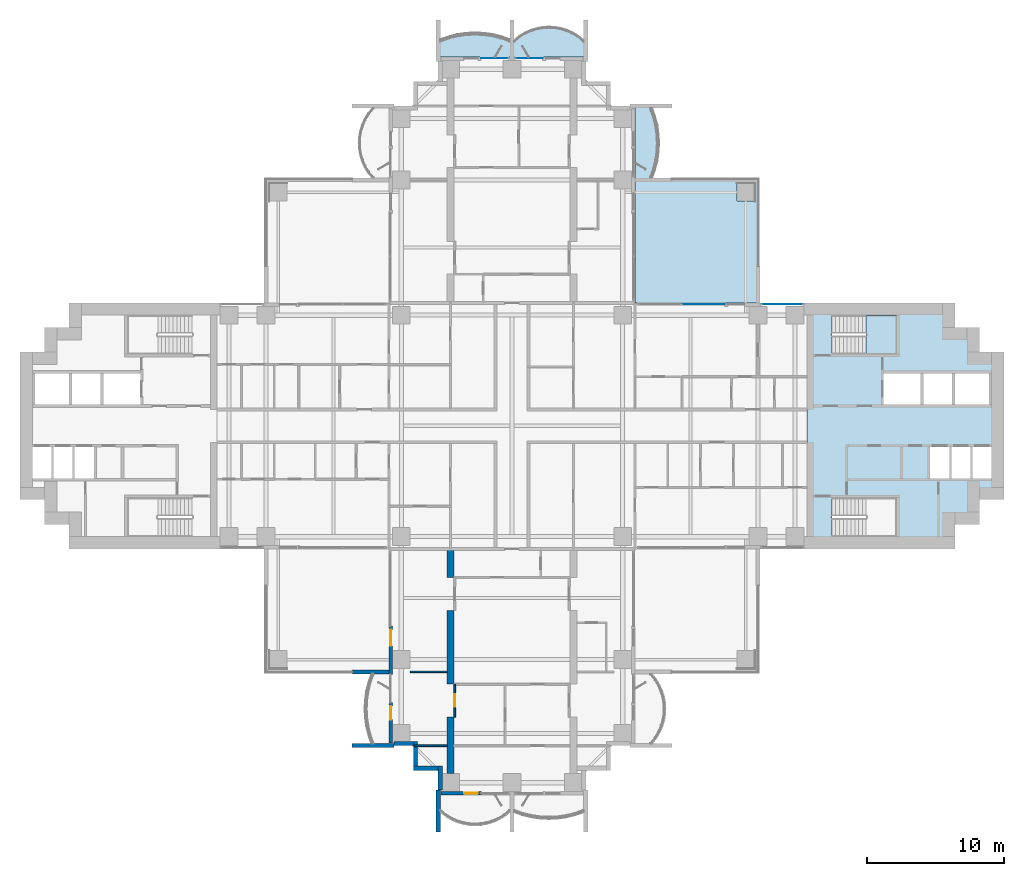
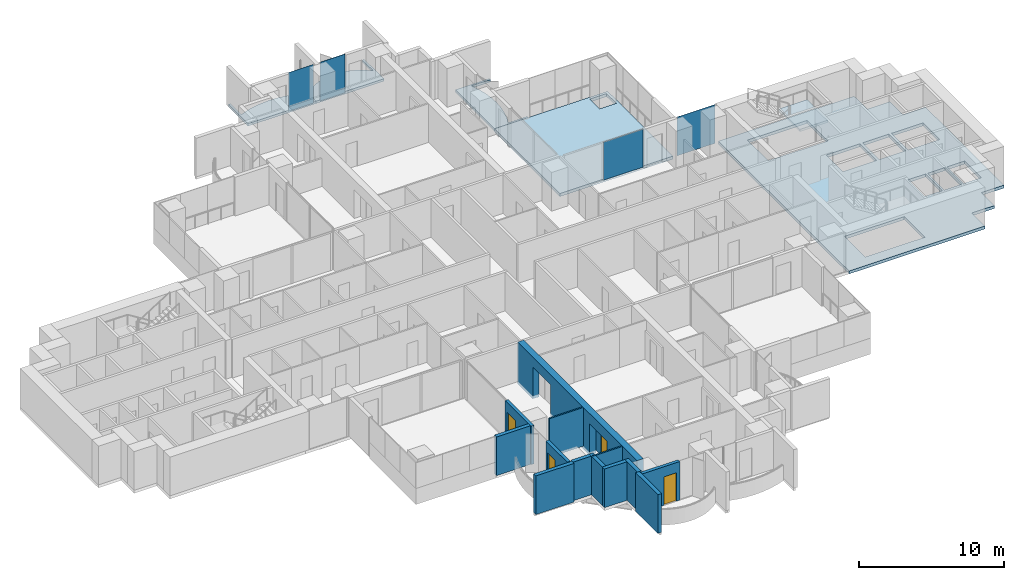
# One storey, part 9 of 20: 14 walls, 6 slabs, 4 doors, 4 plates, 4 openings, 5 elements without a shape of their own.
"""IFC4 building model written with IfcOpenShell, lengths in metres."""

from ifc_helpers import new_model, si_unit, direction, frame, frame_2d, origin, origin_2d, place, context, subcontext, project, spatial, polyline, rectangle, outline, extrude, material, layer, layer_set, material_profile, profile_set, type_object, element, fill, aggregate, save


model = new_model("IFC4")

# Units and contexts
model_context = context("Model", 3, precision=1e-05, world=origin(), true_north=direction((0.0, 1.0)))
body_context = subcontext(model_context, "Body", "Model", "MODEL_VIEW")
ifc_project = project(units=[si_unit("LENGTHUNIT", "METRE"), si_unit("AREAUNIT", "SQUARE_METRE"), si_unit("VOLUMEUNIT", "CUBIC_METRE"), si_unit("PLANEANGLEUNIT", "RADIAN"), si_unit("MASSUNIT", "GRAM", prefix="KILO")], contexts=[model_context])

# Site, building, storey
site_placement = place(None, origin())
site = spatial("IfcSite", under=ifc_project, at=site_placement, CompositionType="ELEMENT")
building_placement = place(site_placement, origin())
building = spatial("IfcBuilding", under=site, at=building_placement, Name="Perihelion Cross Residences", CompositionType="ELEMENT")
storey_placement = place(building_placement, frame((0.0, 0.0, 68.0)))
storey = spatial("IfcBuildingStorey", under=building, at=storey_placement, Name="L14", CompositionType="ELEMENT", Elevation=68.0)

# Slabs
ifc_material_1 = material(Name="Concrete C40/50", Category="concrete")
ifc_layer_1 = layer(ifc_material_1, 0.199951171875)
ifc_layer_set_1 = layer_set([ifc_layer_1], Name="Balcony slab 200")
slab_type_1 = type_object("IfcSlabType", Name="Balcony slab 200", PredefinedType="FLOOR", material=ifc_layer_set_1)
slab_1_placement = place(storey_placement, frame((0.0, 0.0, -0.199951171875)))
element("IfcSlab", 1, at=slab_1_placement, inside=storey, type_object=slab_type_1, Name="Slab BK1 L14 north side east bay 2 balcony", PredefinedType="FLOOR", context=body_context, shape_type="SweptSolid", body=[
    extrude(outline(polyline([(9.0, 18.0), (9.0, 23.39990234375), (11.699951171875, 23.39990234375), (11.699951171875, 23.25), (10.199951171875, 23.25), (10.423583984375, 22.612548828125), (10.57861328125, 21.97509765625), (10.669921875, 21.33740234375), (10.699951171875, 20.699951171875), (10.669921875, 20.0625), (10.57861328125, 19.425048828125), (10.423583984375, 18.78759765625), (10.199951171875, 18.14990234375), (11.699951171875, 18.14990234375), (11.699951171875, 18.0), (9.0, 18.0)])), origin(), (0.0, 0.0, 1.0), 0.199951171875),
])
slab_2_placement = place(storey_placement, frame((0.0, 0.0, -0.199951171875)))
element("IfcSlab", 2, at=slab_2_placement, inside=storey, type_object=slab_type_1, Name="Slab BK1 L14 north tip north bay 1 balcony", PredefinedType="FLOOR", context=body_context, shape_type="SweptSolid", body=[
    extrude(outline(polyline([(5.39990234375, 27.0), (0.0, 27.0), (0.0, 29.699951171875), (0.14990234375, 29.699951171875), (0.14990234375, 28.199951171875), (0.574951171875, 28.5400390625), (1.0, 28.792724609375), (1.425048828125, 28.9765625), (1.85009765625, 29.1025390625), (2.27490234375, 29.17578125), (2.699951171875, 29.199951171875), (3.125, 29.17578125), (3.550048828125, 29.1025390625), (3.97509765625, 28.9765625), (4.39990234375, 28.792724609375), (4.824951171875, 28.5400390625), (5.25, 28.199951171875), (5.25, 29.699951171875), (5.39990234375, 29.699951171875), (5.39990234375, 27.0)])), origin(), (0.0, 0.0, 1.0), 0.199951171875),
])
slab_3_placement = place(storey_placement, frame((0.0, 0.0, -0.199951171875)))
element("IfcSlab", 3, at=slab_3_placement, inside=storey, type_object=slab_type_1, Name="Slab BK1 L14 north tip north bay 2 balcony", PredefinedType="FLOOR", context=body_context, shape_type="SweptSolid", body=[
    extrude(outline(polyline([(0.0, 27.0), (-5.39990234375, 27.0), (-5.39990234375, 29.699951171875), (-5.25, 29.699951171875), (-5.25, 28.199951171875), (-4.612548828125, 28.423583984375), (-3.97509765625, 28.57861328125), (-3.33740234375, 28.669921875), (-2.699951171875, 28.699951171875), (-2.0625, 28.669921875), (-1.425048828125, 28.57861328125), (-0.78759765625, 28.423583984375), (-0.14990234375, 28.199951171875), (-0.14990234375, 29.699951171875), (0.0, 29.699951171875), (0.0, 27.0)])), origin(), (0.0, 0.0, 1.0), 0.199951171875),
])

# Curtain wall, plate
ifc_material_2 = material(Name="Bronze anodised aluminium, tinted glazing", Category="aluminium")
curtain_wall_type = type_object("IfcCurtainWallType", Name="CW1", PredefinedType="NOTDEFINED", material=ifc_material_2)
curtain_wall_1_placement = place(storey_placement, origin())
curtain_wall_1 = element("IfcCurtainWall", 4, at=curtain_wall_1_placement, inside=storey, type_object=curtain_wall_type, Name="Curtain wall CW1 L14 east side north bay 1", PredefinedType="NOTDEFINED")
ifc_material_3 = material(Name="Tinted laminated glass", Category="glass")
ifc_layer_2 = layer(ifc_material_3, 0.028076171875)
ifc_layer_set_2 = layer_set([ifc_layer_2], Name="CW1 panel")
plate_type = type_object("IfcPlateType", Name="CW1 panel", PredefinedType="CURTAIN_PANEL", material=ifc_layer_set_2)
plate_1_placement = place(storey_placement, frame((19.77490234375, 8.89990234375, 0.0), z_axis=(0.0, 0.0, 1.0), x_axis=(-1.0, 0.0, 0.0)))
plate_1 = element("IfcPlate", 5, at=plate_1_placement, type_object=plate_type, Name="CW1 panel 1", PredefinedType="CURTAIN_PANEL", context=body_context, shape_type="SweptSolid", body=[
    extrude(rectangle(XDim=3.030029296875, YDim=0.028076171875, at=origin_2d()), origin(), (0.0, 0.0, 1.0), 3.25),
])
aggregate(curtain_wall_1, [plate_1])

curtain_wall_2_placement = place(storey_placement, origin())
curtain_wall_2 = element("IfcCurtainWall", 6, at=curtain_wall_2_placement, inside=storey, type_object=curtain_wall_type, Name="Curtain wall CW1 L14 east side north bay 2", PredefinedType="NOTDEFINED")
plate_2_placement = place(storey_placement, frame((13.9775390625, 8.89990234375, 0.0), z_axis=(0.0, 0.0, 1.0), x_axis=(-1.0, 0.0, 0.0)))
plate_2 = element("IfcPlate", 7, at=plate_2_placement, type_object=plate_type, Name="CW1 panel 1", PredefinedType="CURTAIN_PANEL", context=body_context, shape_type="SweptSolid", body=[
    extrude(rectangle(XDim=3.14501953125, YDim=0.028076171875, at=origin_2d()), origin(), (0.0, 0.0, 1.0), 3.18994140625),
])
aggregate(curtain_wall_2, [plate_2])

curtain_wall_3_placement = place(storey_placement, origin())
curtain_wall_3 = element("IfcCurtainWall", 8, at=curtain_wall_3_placement, inside=storey, type_object=curtain_wall_type, Name="Curtain wall CW1 L14 north tip north bay 1", PredefinedType="NOTDEFINED")
plate_3_placement = place(storey_placement, frame((1.2548828125, 26.89990234375, 0.0), z_axis=(0.0, 0.0, 1.0), x_axis=(-1.0, 0.0, 0.0)))
plate_3 = element("IfcPlate", 9, at=plate_3_placement, type_object=plate_type, Name="CW1 panel 1", PredefinedType="CURTAIN_PANEL", context=body_context, shape_type="SweptSolid", body=[
    extrude(rectangle(XDim=1.989990234375, YDim=0.028076171875, at=origin_2d()), origin(), (0.0, 0.0, 1.0), 3.25),
])
aggregate(curtain_wall_3, [plate_3])

curtain_wall_4_placement = place(storey_placement, origin())
curtain_wall_4 = element("IfcCurtainWall", 10, at=curtain_wall_4_placement, inside=storey, type_object=curtain_wall_type, Name="Curtain wall CW1 L14 north tip north bay 2", PredefinedType="NOTDEFINED")
plate_4_placement = place(storey_placement, frame((-1.2548828125, 26.89990234375, 0.0), z_axis=(0.0, 0.0, 1.0), x_axis=(-1.0, 0.0, 0.0)))
plate_4 = element("IfcPlate", 11, at=plate_4_placement, type_object=plate_type, Name="CW1 panel 1", PredefinedType="CURTAIN_PANEL", context=body_context, shape_type="SweptSolid", body=[
    extrude(rectangle(XDim=1.989990234375, YDim=0.028076171875, at=origin_2d()), origin(), (0.0, 0.0, 1.0), 3.25),
])
aggregate(curtain_wall_4, [plate_4])

# Slabs
ifc_material_4 = material(Name="Concrete C40/50", Category="concrete")
ifc_layer_3 = layer(ifc_material_4, 0.25)
ifc_layer_set_3 = layer_set([ifc_layer_3], Name="Core floor slab 250")
slab_type_2 = type_object("IfcSlabType", Name="Core floor slab 250", PredefinedType="FLOOR", material=ifc_layer_set_3)
slab_4_placement = place(storey_placement, frame((0.0, 0.0, -0.25)))
element("IfcSlab", 12, at=slab_4_placement, inside=storey, type_object=slab_type_2, Name="East core floor slab", PredefinedType="FLOOR", context=body_context, shape_type="SweptSolid", body=[
    extrude(outline(polyline([(32.39990234375, 7.199951171875), (34.199951171875, 7.199951171875), (34.199951171875, 5.39990234375), (36.0, 5.39990234375), (36.0, -5.39990234375), (34.199951171875, -5.39990234375), (34.199951171875, -7.199951171875), (32.39990234375, -7.199951171875), (32.39990234375, -9.0), (21.60009765625, -9.0), (21.60009765625, 9.0), (32.39990234375, 9.0), (32.39990234375, 7.199951171875)]), holes=[polyline([(23.405029296875, -8.10009765625), (28.14990234375, -8.10009765625), (28.14990234375, -5.25), (23.405029296875, -5.25), (23.405029296875, -8.10009765625)]), polyline([(30.60009765625, -1.550048828125), (30.60009765625, -3.85009765625), (32.0, -3.85009765625), (32.0, -1.550048828125), (30.60009765625, -1.550048828125)]), polyline([(32.14990234375, -1.550048828125), (32.14990234375, -3.85009765625), (33.550048828125, -3.85009765625), (33.550048828125, -1.550048828125), (32.14990234375, -1.550048828125)]), polyline([(33.699951171875, -1.550048828125), (33.699951171875, -3.85009765625), (35.10009765625, -3.85009765625), (35.10009765625, -1.550048828125), (33.699951171875, -1.550048828125)]), polyline([(27.199951171875, 3.85009765625), (27.199951171875, 1.550048828125), (29.89990234375, 1.550048828125), (29.89990234375, 3.85009765625), (27.199951171875, 3.85009765625)]), polyline([(30.10009765625, 3.85009765625), (30.10009765625, 1.550048828125), (32.199951171875, 1.550048828125), (32.199951171875, 3.85009765625), (30.10009765625, 3.85009765625)]), polyline([(32.39990234375, 3.85009765625), (32.39990234375, 1.550048828125), (34.89990234375, 1.550048828125), (34.89990234375, 3.85009765625), (32.39990234375, 3.85009765625)]), polyline([(23.405029296875, 5.25), (28.14990234375, 5.25), (28.14990234375, 8.10009765625), (23.405029296875, 8.10009765625), (23.405029296875, 5.25)])]), origin(), (0.0, 0.0, 1.0), 0.25),
])
ifc_material_5 = material(Name="Concrete C40/50", Category="concrete")
ifc_layer_4 = layer(ifc_material_5, 0.25)
ifc_layer_set_4 = layer_set([ifc_layer_4], Name="Corner terrace slab")
slab_type_3 = type_object("IfcSlabType", Name="Corner terrace slab", PredefinedType="FLOOR", material=ifc_layer_set_4)
slab_5_placement = place(storey_placement, frame((0.0, 0.0, -0.25)))
element("IfcSlab", 13, at=slab_5_placement, inside=storey, type_object=slab_type_3, Name="Slab BK2 L14 pocket north-east", PredefinedType="FLOOR", context=body_context, shape_type="SweptSolid", body=[
    extrude(outline(polyline([(18.0, 9.0), (18.0, 18.0), (9.0, 18.0), (9.0, 9.0), (18.0, 9.0)]), holes=[polyline([(16.449951171875, 16.449951171875), (16.449951171875, 17.7900390625), (17.7900390625, 17.7900390625), (17.7900390625, 16.409912109375), (17.75, 16.409912109375), (17.75, 16.449951171875), (16.449951171875, 16.449951171875)])]), origin(), (0.0, 0.0, 1.0), 0.25),
])

# Stair, slab
ifc_material_6 = material(Name="Concrete C40/50", Category="concrete")
stair_type = type_object("IfcStairType", Name="Exit stair, half-turn", PredefinedType="HALF_TURN_STAIR", material=ifc_material_6)
stair_placement = place(storey_placement, origin())
stair = element("IfcStair", 14, at=stair_placement, inside=storey, type_object=stair_type, Name="L14 East core exit stair 1", PredefinedType="HALF_TURN_STAIR")
ifc_material_7 = material(Name="Concrete C40/50", Category="concrete")
ifc_layer_5 = layer(ifc_material_7, 0.199951171875)
ifc_layer_set_5 = layer_set([ifc_layer_5], Name="Exit stair landing 200")
slab_type_4 = type_object("IfcSlabType", Name="Exit stair landing 200", PredefinedType="LANDING", material=ifc_layer_set_5)
slab_6_placement = place(storey_placement, frame((0.0, 0.0, 1.550048828125)))
slab_6 = element("IfcSlab", 15, at=slab_6_placement, type_object=slab_type_4, Name="ST-E1 landing 1", PredefinedType="LANDING", context=body_context, shape_type="SweptSolid", body=[
    extrude(outline(polyline([(25.919921875, 5.25), (28.14990234375, 5.25), (28.14990234375, 8.10009765625), (25.919921875, 8.10009765625), (25.919921875, 5.25)])), origin(), (0.0, 0.0, 1.0), 0.199951171875),
])
aggregate(stair, [slab_6])

# Wall, opening, door
ifc_material_8 = material(Name="Concrete C30/37, bronze-clad", Category="concrete")
ifc_layer_6 = layer(ifc_material_8, 0.25)
ifc_layer_set_6 = layer_set([ifc_layer_6], Name="Bronze-clad pier wall 250")
wall_type_1 = type_object("IfcWallType", Name="Bronze-clad pier wall 250", PredefinedType="SOLIDWALL", material=ifc_layer_set_6)
wall_1_placement = place(storey_placement, frame((-8.875, -14.64990234375, 0.0), z_axis=(0.0, 0.0, 1.0), x_axis=(0.0, -1.0, 0.0)))
wall_1 = element("IfcWall", 16, at=wall_1_placement, inside=storey, type_object=wall_type_1, Name="Wall FW1 L14 south side west bay 1 pier", PredefinedType="SOLIDWALL", context=body_context, shape_type="SweptSolid", body=[
    extrude(rectangle(XDim=3.550048828125, YDim=0.25, at=frame_2d((1.77490234375, 0.0))), origin(), (0.0, 0.0, 1.0), 3.25),
])
opening_1_placement = place(wall_1_placement, frame((0.25, 0.0, 0.0)))
opening_1 = element("IfcOpeningElement", 17, at=opening_1_placement, cuts=wall_1, Name="Opening L14.E10", PredefinedType="OPENING", context=body_context, shape_type="SweptSolid", body=[
    extrude(rectangle(XDim=1.199951171875, YDim=2.39990234375, at=frame_2d((0.60009765625, 1.199951171875))), frame((0.0, 0.135009765625, 0.0), z_axis=(0.0, -1.0, 0.0), x_axis=(1.0, 0.0, 0.0)), (0.0, 0.0, 1.0), 0.27001953125),
])
ifc_material_9 = material(Name="Bronze anodised aluminium, glazed", Category="aluminium")
door_type_1 = type_object("IfcDoorType", Name="Balcony door 1200 x 2400", OperationType="NOTDEFINED", PredefinedType="DOOR", material=ifc_material_9)
door_1_placement = place(opening_1_placement, origin())
door_1 = element("IfcDoor", 18, at=door_1_placement, inside=storey, type_object=door_type_1, Name="Door L14.E10 south side west bay 1", OperationType="SINGLE_SWING_LEFT", OverallHeight=2.39990234375, OverallWidth=1.199951171875, PredefinedType="DOOR", context=body_context, shape_type="SweptSolid", body=[
    extrude(rectangle(XDim=1.199951171875, YDim=2.39990234375, at=frame_2d((0.60009765625, 1.199951171875))), frame((0.0, 0.02490234375, 0.0), z_axis=(0.0, -1.0, 0.0), x_axis=(1.0, 0.0, 0.0)), (0.0, 0.0, 1.0), 0.050048828125),
])
fill(opening_1, door_1)

wall_2_placement = place(storey_placement, frame((-8.875, -20.25, 0.0), z_axis=(0.0, 0.0, 1.0), x_axis=(0.0, -1.0, 0.0)))
wall_2 = element("IfcWall", 19, at=wall_2_placement, inside=storey, type_object=wall_type_1, Name="Wall FW1 L14 south side west bay 2 pier", PredefinedType="SOLIDWALL", context=body_context, shape_type="SweptSolid", body=[
    extrude(rectangle(XDim=2.949951171875, YDim=0.25, at=frame_2d((1.47509765625, 0.0))), origin(), (0.0, 0.0, 1.0), 3.25),
])
opening_2_placement = place(wall_2_placement, frame((0.25, 0.0, 0.0)))
opening_2 = element("IfcOpeningElement", 20, at=opening_2_placement, cuts=wall_2, Name="Opening L14.E11", PredefinedType="OPENING", context=body_context, shape_type="SweptSolid", body=[
    extrude(rectangle(XDim=1.0, YDim=2.39990234375, at=frame_2d((0.5, 1.199951171875))), frame((0.0, 0.135009765625, 0.0), z_axis=(0.0, -1.0, 0.0), x_axis=(1.0, 0.0, 0.0)), (0.0, 0.0, 1.0), 0.27001953125),
])
ifc_material_10 = material(Name="Bronze anodised aluminium, glazed", Category="aluminium")
door_type_2 = type_object("IfcDoorType", Name="Balcony door 1000 x 2400", OperationType="NOTDEFINED", PredefinedType="DOOR", material=ifc_material_10)
door_2_placement = place(opening_2_placement, origin())
door_2 = element("IfcDoor", 21, at=door_2_placement, inside=storey, type_object=door_type_2, Name="Door L14.E11 south side west bay 2", OperationType="SINGLE_SWING_RIGHT", OverallHeight=2.39990234375, OverallWidth=1.0, PredefinedType="DOOR", context=body_context, shape_type="SweptSolid", body=[
    extrude(rectangle(XDim=1.0, YDim=2.39990234375, at=frame_2d((0.5, 1.199951171875))), frame((0.0, 0.02490234375, 0.0), z_axis=(0.0, -1.0, 0.0), x_axis=(1.0, 0.0, 0.0)), (0.0, 0.0, 1.0), 0.050048828125),
])
fill(opening_2, door_2)

wall_3_placement = place(storey_placement, frame((-5.199951171875, -26.875, 0.0), z_axis=(0.0, 0.0, 1.0), x_axis=(1.0, 0.0, 0.0)))
wall_3 = element("IfcWall", 22, at=wall_3_placement, inside=storey, type_object=wall_type_1, Name="Wall FW1 L14 south tip south bay 1 pier", PredefinedType="SOLIDWALL", context=body_context, shape_type="SweptSolid", body=[
    extrude(rectangle(XDim=2.949951171875, YDim=0.25, at=frame_2d((1.47509765625, 0.0))), origin(), (0.0, 0.0, 1.0), 3.25),
])
opening_3_placement = place(wall_3_placement, frame((1.699951171875, 0.0, 0.0)))
opening_3 = element("IfcOpeningElement", 23, at=opening_3_placement, cuts=wall_3, Name="Opening L14.E12", PredefinedType="OPENING", context=body_context, shape_type="SweptSolid", body=[
    extrude(rectangle(XDim=1.0, YDim=2.39990234375, at=frame_2d((0.5, 1.199951171875))), frame((0.0, 0.135009765625, 0.0), z_axis=(0.0, -1.0, 0.0), x_axis=(1.0, 0.0, 0.0)), (0.0, 0.0, 1.0), 0.27001953125),
])
door_3_placement = place(opening_3_placement, origin())
door_3 = element("IfcDoor", 24, at=door_3_placement, inside=storey, type_object=door_type_2, Name="Door L14.E12 south tip south bay 1", OperationType="SINGLE_SWING_LEFT", OverallHeight=2.39990234375, OverallWidth=1.0, PredefinedType="DOOR", context=body_context, shape_type="SweptSolid", body=[
    extrude(rectangle(XDim=1.0, YDim=2.39990234375, at=frame_2d((0.5, 1.199951171875))), frame((0.0, 0.02490234375, 0.0), z_axis=(0.0, -1.0, 0.0), x_axis=(1.0, 0.0, 0.0)), (0.0, 0.0, 1.0), 0.050048828125),
])
fill(opening_3, door_3)

# Walls
ifc_material_11 = material(Name="Concrete C30/37, bronze-clad", Category="concrete")
ifc_layer_7 = layer(ifc_material_11, 0.300048828125)
ifc_layer_set_7 = layer_set([ifc_layer_7], Name="Bronze-clad serration wall 300")
wall_type_2 = type_object("IfcWallType", Name="Bronze-clad serration wall 300", PredefinedType="SOLIDWALL", material=ifc_layer_set_7)
wall_4_placement = place(storey_placement, frame((-8.64990234375, -23.25, 0.0), z_axis=(0.0, 0.0, 1.0), x_axis=(1.0, 0.0, 0.0)))
element("IfcWall", 25, at=wall_4_placement, inside=storey, type_object=wall_type_2, Name="Wall SR1 L14 south corner south-west 1", PredefinedType="SOLIDWALL", context=body_context, shape_type="SweptSolid", body=[
    extrude(rectangle(XDim=1.449951171875, YDim=0.300048828125, at=frame_2d((0.72509765625, 0.0))), origin(), (0.0, 0.0, 1.0), 3.25),
])
wall_5_placement = place(storey_placement, frame((-7.050048828125, -23.10009765625, 0.0), z_axis=(0.0, 0.0, 1.0), x_axis=(0.0, -1.0, 0.0)))
element("IfcWall", 26, at=wall_5_placement, inside=storey, type_object=wall_type_2, Name="Wall SR1 L14 south corner south-west 2", PredefinedType="SOLIDWALL", context=body_context, shape_type="SweptSolid", body=[
    extrude(rectangle(XDim=1.7998046875, YDim=0.300048828125, at=frame_2d((0.89990234375, 0.0))), origin(), (0.0, 0.0, 1.0), 3.25),
])
wall_6_placement = place(storey_placement, frame((-7.199951171875, -25.050048828125, 0.0), z_axis=(0.0, 0.0, 1.0), x_axis=(1.0, 0.0, 0.0)))
element("IfcWall", 27, at=wall_6_placement, inside=storey, type_object=wall_type_2, Name="Wall SR1 L14 south corner south-west 3", PredefinedType="SOLIDWALL", context=body_context, shape_type="SweptSolid", body=[
    extrude(rectangle(XDim=1.800048828125, YDim=0.300048828125, at=frame_2d((0.89990234375, 0.0))), origin(), (0.0, 0.0, 1.0), 3.25),
])
wall_7_placement = place(storey_placement, frame((-5.25, -24.89990234375, 0.0), z_axis=(0.0, 0.0, 1.0), x_axis=(0.0, -1.0, 0.0)))
element("IfcWall", 28, at=wall_7_placement, inside=storey, type_object=wall_type_2, Name="Wall SR1 L14 south corner south-west 4", PredefinedType="SOLIDWALL", context=body_context, shape_type="SweptSolid", body=[
    extrude(rectangle(XDim=1.75, YDim=0.300048828125, at=frame_2d((0.875, 0.0))), origin(), (0.0, 0.0, 1.0), 3.25),
])

# Wall, opening, door
ifc_material_12 = material(Name="Plasterboard partition")
ifc_layer_8 = layer(ifc_material_12, 0.1201171875)
ifc_layer_set_8 = layer_set([ifc_layer_8], Name="Infill panel 120")
wall_type_3 = type_object("IfcWallType", Name="Infill panel 120", PredefinedType="PARTITIONING", material=ifc_layer_set_8)
wall_8_placement = place(storey_placement, frame((-4.18994140625, -18.89990234375, 0.0), z_axis=(0.0, 0.0, 1.0), x_axis=(0.0, -1.0, 0.0)))
wall_8 = element("IfcWall", 29, at=wall_8_placement, inside=storey, type_object=wall_type_3, Name="Partition L14 WI08", PredefinedType="PARTITIONING", context=body_context, shape_type="SweptSolid", body=[
    extrude(rectangle(XDim=2.400146484375, YDim=0.1201171875, at=frame_2d((1.2001953125, 0.0))), origin(), (0.0, 0.0, 1.0), 2.39990234375),
])
opening_4_placement = place(wall_8_placement, frame((0.75, 0.0, 0.0)))
opening_4 = element("IfcOpeningElement", 30, at=opening_4_placement, cuts=wall_8, Name="Opening L14.A57", PredefinedType="OPENING", context=body_context, shape_type="SweptSolid", body=[
    extrude(rectangle(XDim=0.89990234375, YDim=2.10009765625, at=frame_2d((0.449951171875, 1.050048828125))), frame((0.0, 0.070068359375, 0.0), z_axis=(0.0, -1.0, 0.0), x_axis=(1.0, 0.0, 0.0)), (0.0, 0.0, 1.0), 0.14013671875),
])
ifc_material_13 = material(Name="Timber door leaf", Category="wood")
door_type_3 = type_object("IfcDoorType", Name="Interior room door 900 x 2100", OperationType="SINGLE_SWING_LEFT", PredefinedType="DOOR", material=ifc_material_13)
door_4_placement = place(opening_4_placement, origin())
door_4 = element("IfcDoor", 31, at=door_4_placement, inside=storey, type_object=door_type_3, Name="Door L14.A57", OperationType="SINGLE_SWING_LEFT", OverallHeight=2.10009765625, OverallWidth=0.89990234375, PredefinedType="DOOR", context=body_context, shape_type="SweptSolid", body=[
    extrude(rectangle(XDim=0.89990234375, YDim=2.10009765625, at=frame_2d((0.449951171875, 1.050048828125))), frame((0.0, 0.02490234375, 0.0), z_axis=(0.0, -1.0, 0.0), x_axis=(1.0, 0.0, 0.0)), (0.0, 0.0, 1.0), 0.050048828125),
])
fill(opening_4, door_4)

# Walls
ifc_material_14 = material(Name="Plasterboard partition")
ifc_layer_9 = layer(ifc_material_14, 0.1201171875)
ifc_layer_set_9 = layer_set([ifc_layer_9], Name="Partition wall 120")
wall_type_4 = type_object("IfcWallType", Name="Partition wall 120", PredefinedType="PARTITIONING", material=ifc_layer_set_9)
wall_9_placement = place(storey_placement, frame((-4.75, -18.0, 0.0), z_axis=(0.0, 0.0, 1.0), x_axis=(-1.0, 0.0, 0.0)))
element("IfcWall", 32, at=wall_9_placement, inside=storey, type_object=wall_type_4, Name="Partition L14 W077", PredefinedType="PARTITIONING", context=body_context, shape_type="SweptSolid", body=[
    extrude(rectangle(XDim=2.699951171875, YDim=0.1201171875, at=frame_2d((1.35009765625, 0.0))), origin(), (0.0, 0.0, 1.0), 3.25),
])
wall_10_placement = place(storey_placement, frame((-4.75, -23.39990234375, 0.0), z_axis=(0.0, 0.0, 1.0), x_axis=(-1.0, 0.0, 0.0)))
element("IfcWall", 33, at=wall_10_placement, inside=storey, type_object=wall_type_4, Name="Partition L14 W078", PredefinedType="PARTITIONING", context=body_context, shape_type="SweptSolid", body=[
    extrude(rectangle(XDim=2.3701171875, YDim=0.1201171875, at=frame_2d((1.18505859375, 0.0))), origin(), (0.0, 0.0, 1.0), 3.25),
])
ifc_material_15 = material(Name="Precast concrete C50/60", Category="concrete")
ifc_layer_10 = layer(ifc_material_15, 0.300048828125)
ifc_layer_set_10 = layer_set([ifc_layer_10], Name="Precast concrete C50/60 blade wall 300")
wall_type_5 = type_object("IfcWallType", Name="Precast concrete C50/60 blade wall 300", PredefinedType="SOLIDWALL", material=ifc_layer_set_10)
wall_11_placement = place(storey_placement, frame((-8.64990234375, -23.39990234375, 0.0), z_axis=(0.0, 0.0, 1.0), x_axis=(-1.0, 0.0, 0.0)))
element("IfcWall", 34, at=wall_11_placement, inside=storey, type_object=wall_type_5, Name="Wall BL1 L14 no. 6", PredefinedType="SOLIDWALL", context=body_context, shape_type="SweptSolid", body=[
    extrude(rectangle(XDim=3.050048828125, YDim=0.300048828125, at=frame_2d((1.52490234375, 0.0))), origin(), (0.0, 0.0, 1.0), 3.25),
])
wall_12_placement = place(storey_placement, frame((-9.0, -18.0, 0.0), z_axis=(0.0, 0.0, 1.0), x_axis=(-1.0, 0.0, 0.0)))
element("IfcWall", 35, at=wall_12_placement, inside=storey, type_object=wall_type_5, Name="Wall BL1 L14 no. 5", PredefinedType="SOLIDWALL", context=body_context, shape_type="SweptSolid", body=[
    extrude(rectangle(XDim=2.699951171875, YDim=0.300048828125, at=frame_2d((1.35009765625, 0.0))), origin(), (0.0, 0.0, 1.0), 3.25),
])
wall_13_placement = place(storey_placement, frame((-5.39990234375, -26.64990234375, 0.0), z_axis=(0.0, 0.0, 1.0), x_axis=(0.0, -1.0, 0.0)))
element("IfcWall", 36, at=wall_13_placement, inside=storey, type_object=wall_type_5, Name="Wall BL1 L14 no. 3", PredefinedType="SOLIDWALL", context=body_context, shape_type="SweptSolid", body=[
    extrude(rectangle(XDim=3.050048828125, YDim=0.300048828125, at=frame_2d((1.52490234375, 0.0))), origin(), (0.0, 0.0, 1.0), 3.25),
])
ifc_material_16 = material(Name="Concrete C60/75", Category="concrete")
ifc_material_profile = material_profile(ifc_material_16, outline(polyline([(0.0, 0.0), (4.14990234375, 0.0), (4.14990234375, 2.64990234375), (6.550048828125, 2.64990234375), (6.550048828125, 0.0), (11.949951171875, 0.0), (11.949951171875, 2.64990234375), (14.35009765625, 2.64990234375), (14.35009765625, 0.0), (16.449951171875, 0.0), (16.449951171875, 3.5), (0.0, 3.5), (0.0, 0.0)])), Name="Tip spine wall")
ifc_profile_set = profile_set([ifc_material_profile], Name="Concrete C60/75")
wall_type_6 = type_object("IfcWallType", Name="Tip spine wall 500 with 2 door openings 16450 long 3500 high concrete C60/75 hand A", PredefinedType="SHEAR", material=ifc_profile_set)
wall_14_placement = place(storey_placement, frame((-4.75, -25.449951171875, -0.25), z_axis=(1.0, 0.0, 0.0), x_axis=(0.0, 1.0, 0.0)))
element("IfcWall", 37, at=wall_14_placement, inside=storey, type_object=wall_type_6, Name="Shear wall SW24 L14 south west", PredefinedType="SHEAR", context=body_context, shape_type="SweptSolid", body=[
    extrude(outline(polyline([(0.0, 0.0), (4.14990234375, 0.0), (4.14990234375, 2.64990234375), (6.550048828125, 2.64990234375), (6.550048828125, 0.0), (11.949951171875, 0.0), (11.949951171875, 2.64990234375), (14.35009765625, 2.64990234375), (14.35009765625, 0.0), (16.449951171875, 0.0), (16.449951171875, 3.5), (0.0, 3.5), (0.0, 0.0)])), origin(), (0.0, 0.0, 1.0), 0.5),
])

save(model, "model.ifc")
